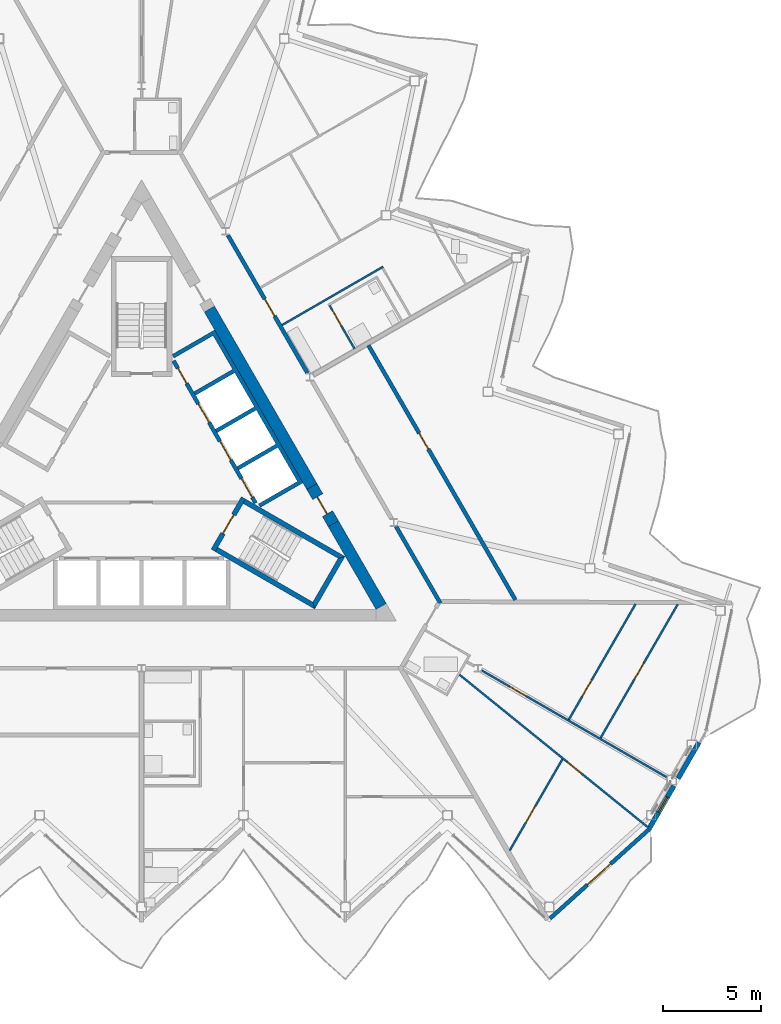
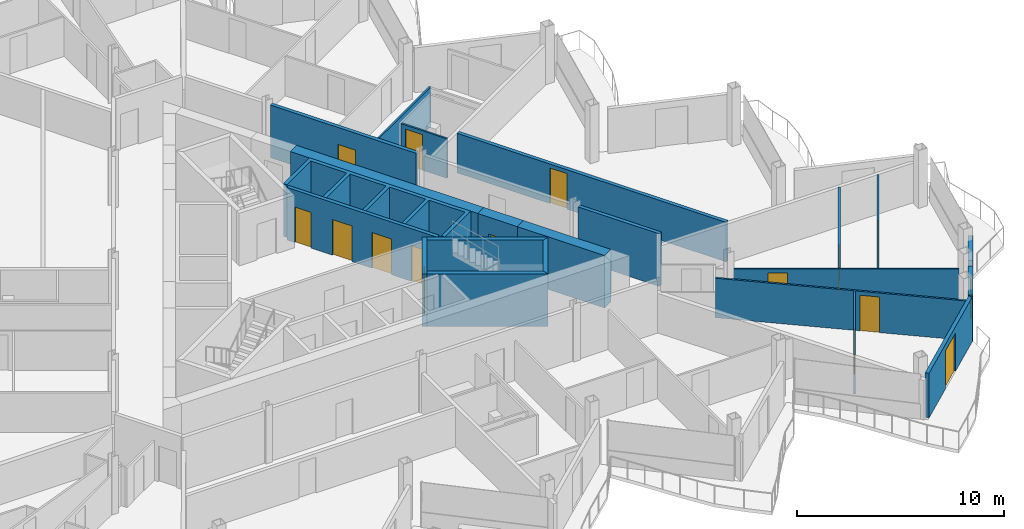
# One storey, part 15 of 26: 22 walls, 15 doors, 1 window, 16 openings.
"""IFC4 building model written with IfcOpenShell, lengths in metres."""

from ifc_helpers import new_model, si_unit, direction, frame, frame_2d, origin, place, context, subcontext, project, spatial, polyline, rectangle, outline, extrude, material, layer, layer_set, type_object, element, fill, save


model = new_model("IFC4")

# Units and contexts
model_context = context("Model", 3, precision=1e-05, world=origin(), true_north=direction((0.0, 1.0)))
body_context = subcontext(model_context, "Body", "Model", "MODEL_VIEW")
ifc_project = project(units=[si_unit("LENGTHUNIT", "METRE"), si_unit("AREAUNIT", "SQUARE_METRE"), si_unit("VOLUMEUNIT", "CUBIC_METRE"), si_unit("PLANEANGLEUNIT", "RADIAN"), si_unit("MASSUNIT", "GRAM", prefix="KILO")], contexts=[model_context])

# Site, building, storey
site_placement = place(None, origin())
site = spatial("IfcSite", under=ifc_project, at=site_placement, CompositionType="ELEMENT")
building_placement = place(site_placement, origin())
building = spatial("IfcBuilding", under=site, at=building_placement, Name="Cormorant Prow Tower", CompositionType="ELEMENT")
storey_placement = place(building_placement, frame((0.0, 0.0, 364.39990234375)))
storey = spatial("IfcBuildingStorey", under=building, at=storey_placement, Name="L81", CompositionType="ELEMENT", Elevation=364.39990234375)

# Walls
ifc_material_1 = material(Name="Concrete 8000 psi", Category="concrete")
ifc_layer_1 = layer(ifc_material_1, 0.60009765625)
ifc_layer_set_1 = layer_set([ifc_layer_1], Name="Concrete 8000 psi")
wall_type_1 = type_object("IfcWallType", Name="Core shear wall 600", PredefinedType="SHEAR", material=ifc_layer_set_1)
wall_1_placement = place(storey_placement, frame((8.686279296875, -0.6337890625, 0.0), z_axis=(0.0, 0.0, 1.0), x_axis=(-0.50001836461, 0.866014800712, 0.0)))
element("IfcWall", 1, at=wall_1_placement, inside=storey, type_object=wall_type_1, Name="Core wall", PredefinedType="SHEAR", context=body_context, shape_type="SweptSolid", body=[
    extrude(rectangle(XDim=10.45068359375, YDim=0.60009765625, at=frame_2d((5.225341796875, 0.0))), origin(), (0.0, 0.0, 1.0), 3.10009765625),
])
wall_2_placement = place(storey_placement, frame((12.220703125, -6.755615234375, 0.0), z_axis=(0.0, 0.0, 1.0), x_axis=(-0.50000604952, 0.866021911064, 0.0)))
element("IfcWall", 2, at=wall_2_placement, inside=storey, type_object=wall_type_1, Name="Core wall", PredefinedType="SHEAR", context=body_context, shape_type="SweptSolid", body=[
    extrude(rectangle(XDim=4.86865234375, YDim=0.60009765625, at=frame_2d((2.434326171875, 0.0))), origin(), (0.0, 0.0, 1.0), 3.10009765625),
])

# Wall, opening, door
wall_3_placement = place(storey_placement, frame((9.786376953125, -2.539306640625, 0.0), z_axis=(0.0, 0.0, 1.0), x_axis=(-0.499981787252, 0.866035918664, 0.0)))
wall_3 = element("IfcWall", 3, at=wall_3_placement, inside=storey, type_object=wall_type_1, Name="Core wall door panel", PredefinedType="SHEAR", context=body_context, shape_type="SweptSolid", body=[
    extrude(rectangle(XDim=2.2001953125, YDim=0.60009765625, at=frame_2d((1.10009765625, 0.0))), origin(), (0.0, 0.0, 1.0), 3.10009765625),
])
opening_1_placement = place(wall_3_placement, frame((0.60009765625, 0.0, 0.0)))
opening_1 = element("IfcOpeningElement", 4, at=opening_1_placement, cuts=wall_3, Name="Opening L81-C16", PredefinedType="OPENING", context=body_context, shape_type="SweptSolid", body=[
    extrude(rectangle(XDim=1.0, YDim=2.10009765625, at=frame_2d((0.5, 1.050048828125))), frame((0.0, 0.31005859375, 0.0), z_axis=(0.0, -1.0, 0.0), x_axis=(1.0, 0.0, 0.0)), (0.0, 0.0, 1.0), 0.6201171875),
])
ifc_material_2 = material(Name="Painted steel", Category="steel")
door_type_1 = type_object("IfcDoorType", Name="Service door 1000x2100", OperationType="NOTDEFINED", PredefinedType="DOOR", material=ifc_material_2)
door_1_placement = place(opening_1_placement, origin())
door_1 = element("IfcDoor", 5, at=door_1_placement, inside=storey, type_object=door_type_1, Name="Core door, Telecom room", OperationType="SINGLE_SWING_LEFT", OverallHeight=2.10009765625, OverallWidth=1.0, PredefinedType="DOOR", context=body_context, shape_type="SweptSolid", body=[
    extrude(rectangle(XDim=1.0, YDim=2.10009765625, at=frame_2d((0.5, 1.050048828125))), frame((0.0, 0.05517578125, 0.0), z_axis=(0.0, -1.0, 0.0), x_axis=(1.0, 0.0, 0.0)), (0.0, 0.0, 1.0), 0.050048828125),
])
fill(opening_1, door_1)

ifc_material_3 = material(Name="Gypsum board corridor wall")
ifc_layer_2 = layer(ifc_material_3, 0.199951171875)
ifc_layer_set_2 = layer_set([ifc_layer_2], Name="Gypsum board corridor wall")
wall_type_2 = type_object("IfcWallType", Name="Corridor wall 200", PredefinedType="PARTITIONING", material=ifc_layer_set_2)
wall_4_placement = place(storey_placement, frame((4.403076171875, 12.184814453125, 0.0), z_axis=(0.0, 0.0, 1.0), x_axis=(0.499992155518, -0.866029932751, 0.0)))
wall_4 = element("IfcWall", 6, at=wall_4_placement, inside=storey, type_object=wall_type_2, Name="Corridor wall", PredefinedType="PARTITIONING", context=body_context, shape_type="SweptSolid", body=[
    extrude(rectangle(XDim=8.123291015625, YDim=0.199951171875, at=frame_2d((4.0615234375, 0.0))), origin(), (0.0, 0.0, 1.0), 3.10009765625),
])
opening_2_placement = place(wall_4_placement, frame((3.762451171875, 0.0, 0.0)))
opening_2 = element("IfcOpeningElement", 7, at=opening_2_placement, cuts=wall_4, Name="Opening L81-F20", PredefinedType="OPENING", context=body_context, shape_type="SweptSolid", body=[
    extrude(rectangle(XDim=1.0, YDim=2.10009765625, at=frame_2d((0.5, 1.050048828125))), frame((0.0, 0.10986328125, 0.0), z_axis=(0.0, -1.0, 0.0), x_axis=(1.0, 0.0, 0.0)), (0.0, 0.0, 1.0), 0.219970703125),
])
ifc_material_4 = material(Name="Timber door leaf", Category="wood")
door_type_2 = type_object("IfcDoorType", Name="Flat or room entrance door 1000x2100", OperationType="NOTDEFINED", PredefinedType="DOOR", material=ifc_material_4)
door_2_placement = place(opening_2_placement, origin())
door_2 = element("IfcDoor", 8, at=door_2_placement, inside=storey, type_object=door_type_2, Name="Living room door", OperationType="SINGLE_SWING_LEFT", OverallHeight=2.10009765625, OverallWidth=1.0, PredefinedType="DOOR", context=body_context, shape_type="SweptSolid", body=[
    extrude(rectangle(XDim=1.0, YDim=2.10009765625, at=frame_2d((0.5, 1.050048828125))), frame((0.0, 0.02490234375, 0.0), z_axis=(0.0, -1.0, 0.0), x_axis=(1.0, 0.0, 0.0)), (0.0, 0.0, 1.0), 0.050048828125),
])
fill(opening_2, door_2)

# Wall
wall_5_placement = place(storey_placement, frame((12.9814453125, -2.67333984375, 0.0), z_axis=(0.0, 0.0, 1.0), x_axis=(0.499974648164, -0.866040040179, 0.0)))
element("IfcWall", 9, at=wall_5_placement, inside=storey, type_object=wall_type_2, Name="Corridor wall", PredefinedType="PARTITIONING", context=body_context, shape_type="SweptSolid", body=[
    extrude(rectangle(XDim=4.525146484375, YDim=0.199951171875, at=frame_2d((2.2626953125, 0.0))), origin(), (0.0, 0.0, 1.0), 3.10009765625),
])

# Wall, opening, door
ifc_material_5 = material(Name="Gypsum board demising wall")
ifc_layer_3 = layer(ifc_material_5, 0.199951171875)
ifc_layer_set_3 = layer_set([ifc_layer_3], Name="Gypsum board demising wall")
wall_type_3 = type_object("IfcWallType", Name="Demising wall 200", PredefinedType="PARTITIONING", material=ifc_layer_set_3)
wall_6_placement = place(storey_placement, frame((11.572998046875, 6.566162109375, 0.0), z_axis=(0.0, 0.0, 1.0), x_axis=(0.499993542657, -0.866029131901, 0.0)))
wall_6 = element("IfcWall", 10, at=wall_6_placement, inside=storey, type_object=wall_type_3, Name="Demising wall", PredefinedType="PARTITIONING", context=body_context, shape_type="SweptSolid", body=[
    extrude(rectangle(XDim=14.993896484375, YDim=0.199951171875, at=frame_2d((7.4970703125, 0.0))), origin(), (0.0, 0.0, 1.0), 2.330078125),
])
opening_3_placement = place(wall_6_placement, frame((5.166015625, 0.0, 0.0)))
opening_3 = element("IfcOpeningElement", 11, at=opening_3_placement, cuts=wall_6, Name="Opening L81-F19", PredefinedType="OPENING", context=body_context, shape_type="SweptSolid", body=[
    extrude(rectangle(XDim=0.949951171875, YDim=2.10009765625, at=frame_2d((0.47509765625, 1.050048828125))), frame((0.0, 0.10986328125, 0.0), z_axis=(0.0, -1.0, 0.0), x_axis=(1.0, 0.0, 0.0)), (0.0, 0.0, 1.0), 0.219970703125),
])
ifc_material_6 = material(Name="Timber door leaf", Category="wood")
door_type_3 = type_object("IfcDoorType", Name="Store door 950x2100", OperationType="NOTDEFINED", PredefinedType="DOOR", material=ifc_material_6)
door_3_placement = place(opening_3_placement, origin())
door_3 = element("IfcDoor", 12, at=door_3_placement, inside=storey, type_object=door_type_3, Name="Refuse room door", OperationType="SINGLE_SWING_RIGHT", OverallHeight=2.10009765625, OverallWidth=0.949951171875, PredefinedType="DOOR", context=body_context, shape_type="SweptSolid", body=[
    extrude(rectangle(XDim=0.949951171875, YDim=2.10009765625, at=frame_2d((0.47509765625, 1.050048828125))), frame((0.0, 0.02490234375, 0.0), z_axis=(0.0, -1.0, 0.0), x_axis=(1.0, 0.0, 0.0)), (0.0, 0.0, 1.0), 0.050048828125),
])
fill(opening_3, door_3)

ifc_material_7 = material(Name="Gypsum board partition")
ifc_layer_4 = layer(ifc_material_7, 0.10009765625)
ifc_layer_set_4 = layer_set([ifc_layer_4], Name="Gypsum board partition")
wall_type_4 = type_object("IfcWallType", Name="Internal partition 100", PredefinedType="PARTITIONING", material=ifc_layer_set_4)
wall_7_placement = place(storey_placement, frame((16.2158203125, -10.234130859375, 0.0), z_axis=(0.0, 0.0, 1.0), x_axis=(0.777145059662, -0.629321504672, 0.0)))
wall_7 = element("IfcWall", 13, at=wall_7_placement, inside=storey, type_object=wall_type_4, Name="Internal partition", PredefinedType="PARTITIONING", context=body_context, shape_type="SweptSolid", body=[
    extrude(rectangle(XDim=12.58984375, YDim=0.10009765625, at=frame_2d((6.294921875, 0.0))), origin(), (0.0, 0.0, 1.0), 2.330078125),
])
opening_4_placement = place(wall_7_placement, frame((7.074462890625, 0.0, 0.0)))
opening_4 = element("IfcOpeningElement", 14, at=opening_4_placement, cuts=wall_7, Name="Opening L81-F16", PredefinedType="OPENING", context=body_context, shape_type="SweptSolid", body=[
    extrude(rectangle(XDim=0.949951171875, YDim=2.10009765625, at=frame_2d((0.47509765625, 1.050048828125))), frame((0.0, 0.06005859375, 0.0), z_axis=(0.0, -1.0, 0.0), x_axis=(1.0, 0.0, 0.0)), (0.0, 0.0, 1.0), 0.1201171875),
])
ifc_material_8 = material(Name="Timber door leaf", Category="wood")
door_type_4 = type_object("IfcDoorType", Name="Bathroom door 950x2100", OperationType="NOTDEFINED", PredefinedType="DOOR", material=ifc_material_8)
door_4_placement = place(opening_4_placement, origin())
door_4 = element("IfcDoor", 15, at=door_4_placement, inside=storey, type_object=door_type_4, Name="Bedroom door", OperationType="SINGLE_SWING_LEFT", OverallHeight=2.10009765625, OverallWidth=0.949951171875, PredefinedType="DOOR", context=body_context, shape_type="SweptSolid", body=[
    extrude(rectangle(XDim=0.949951171875, YDim=2.10009765625, at=frame_2d((0.47509765625, 1.050048828125))), frame((0.0, 0.02490234375, 0.0), z_axis=(0.0, -1.0, 0.0), x_axis=(1.0, 0.0, 0.0)), (0.0, 0.0, 1.0), 0.050048828125),
])
fill(opening_4, door_4)

wall_8_placement = place(storey_placement, frame((17.35400390625, -10.019287109375, 0.0), z_axis=(0.0, 0.0, 1.0), x_axis=(0.866019680922, -0.500009912158, 0.0)))
wall_8 = element("IfcWall", 16, at=wall_8_placement, inside=storey, type_object=wall_type_4, Name="Internal partition", PredefinedType="PARTITIONING", context=body_context, shape_type="SweptSolid", body=[
    extrude(rectangle(XDim=10.880615234375, YDim=0.10009765625, at=frame_2d((5.4404296875, 0.0))), origin(), (0.0, 0.0, 1.0), 2.330078125),
])
opening_5_placement = place(wall_8_placement, frame((1.654541015625, 0.0, 0.0)))
opening_5 = element("IfcOpeningElement", 17, at=opening_5_placement, cuts=wall_8, Name="Opening L81-F15", PredefinedType="OPENING", context=body_context, shape_type="SweptSolid", body=[
    extrude(rectangle(XDim=0.949951171875, YDim=2.10009765625, at=frame_2d((0.47509765625, 1.050048828125))), frame((0.0, 0.06005859375, 0.0), z_axis=(0.0, -1.0, 0.0), x_axis=(1.0, 0.0, 0.0)), (0.0, 0.0, 1.0), 0.1201171875),
])
door_5_placement = place(opening_5_placement, origin())
door_5 = element("IfcDoor", 18, at=door_5_placement, inside=storey, type_object=door_type_4, Name="Living room door", OperationType="SINGLE_SWING_LEFT", OverallHeight=2.10009765625, OverallWidth=0.949951171875, PredefinedType="DOOR", context=body_context, shape_type="SweptSolid", body=[
    extrude(rectangle(XDim=0.949951171875, YDim=2.10009765625, at=frame_2d((0.47509765625, 1.050048828125))), frame((0.0, 0.02490234375, 0.0), z_axis=(0.0, -1.0, 0.0), x_axis=(1.0, 0.0, 0.0)), (0.0, 0.0, 1.0), 0.050048828125),
])
fill(opening_5, door_5)

wall_9_placement = place(storey_placement, frame((23.4150390625, -13.4609375, 0.0), z_axis=(0.0, 0.0, 1.0), x_axis=(0.500011483804, 0.866018773506, 0.0)))
wall_9 = element("IfcWall", 19, at=wall_9_placement, inside=storey, type_object=wall_type_4, Name="Internal partition", PredefinedType="PARTITIONING", context=body_context, shape_type="SweptSolid", body=[
    extrude(rectangle(XDim=7.872314453125, YDim=0.10009765625, at=frame_2d((3.93603515625, 0.0))), origin(), (0.0, 0.0, 1.0), 2.330078125),
])
opening_6_placement = place(wall_9_placement, frame((3.461181640625, 0.0, 0.0)))
opening_6 = element("IfcOpeningElement", 20, at=opening_6_placement, cuts=wall_9, Name="Opening L81-F14", PredefinedType="OPENING", context=body_context, shape_type="SweptSolid", body=[
    extrude(rectangle(XDim=0.949951171875, YDim=2.10009765625, at=frame_2d((0.47509765625, 1.050048828125))), frame((0.0, 0.06005859375, 0.0), z_axis=(0.0, -1.0, 0.0), x_axis=(1.0, 0.0, 0.0)), (0.0, 0.0, 1.0), 0.1201171875),
])
door_6_placement = place(opening_6_placement, origin())
door_6 = element("IfcDoor", 21, at=door_6_placement, inside=storey, type_object=door_type_4, Name="Kitchen door", OperationType="SINGLE_SWING_LEFT", OverallHeight=2.10009765625, OverallWidth=0.949951171875, PredefinedType="DOOR", context=body_context, shape_type="SweptSolid", body=[
    extrude(rectangle(XDim=0.949951171875, YDim=2.10009765625, at=frame_2d((0.47509765625, 1.050048828125))), frame((0.0, 0.02490234375, 0.0), z_axis=(0.0, -1.0, 0.0), x_axis=(1.0, 0.0, 0.0)), (0.0, 0.0, 1.0), 0.050048828125),
])
fill(opening_6, door_6)

wall_10_placement = place(storey_placement, frame((21.7958984375, -12.526123046875, 0.0), z_axis=(0.0, 0.0, 1.0), x_axis=(0.499994777381, 0.866028419044, 0.0)))
wall_10 = element("IfcWall", 22, at=wall_10_placement, inside=storey, type_object=wall_type_4, Name="Internal partition", PredefinedType="PARTITIONING", context=body_context, shape_type="SweptSolid", body=[
    extrude(rectangle(XDim=6.80322265625, YDim=0.10009765625, at=frame_2d((3.401611328125, 0.0))), origin(), (0.0, 0.0, 1.0), 2.330078125),
])
opening_7_placement = place(wall_10_placement, frame((1.361083984375, 0.0, 0.0)))
opening_7 = element("IfcOpeningElement", 23, at=opening_7_placement, cuts=wall_10, Name="Opening L81-F13", PredefinedType="OPENING", context=body_context, shape_type="SweptSolid", body=[
    extrude(rectangle(XDim=0.949951171875, YDim=2.10009765625, at=frame_2d((0.47509765625, 1.050048828125))), frame((0.0, 0.06005859375, 0.0), z_axis=(0.0, -1.0, 0.0), x_axis=(1.0, 0.0, 0.0)), (0.0, 0.0, 1.0), 0.1201171875),
])
door_7_placement = place(opening_7_placement, origin())
door_7 = element("IfcDoor", 24, at=door_7_placement, inside=storey, type_object=door_type_4, Name="Living room door", OperationType="SINGLE_SWING_RIGHT", OverallHeight=2.10009765625, OverallWidth=0.949951171875, PredefinedType="DOOR", context=body_context, shape_type="SweptSolid", body=[
    extrude(rectangle(XDim=0.949951171875, YDim=2.10009765625, at=frame_2d((0.47509765625, 1.050048828125))), frame((0.0, 0.02490234375, 0.0), z_axis=(0.0, -1.0, 0.0), x_axis=(1.0, 0.0, 0.0)), (0.0, 0.0, 1.0), 0.050048828125),
])
fill(opening_7, door_7)

# Wall
wall_11_placement = place(storey_placement, frame((7.1650390625, 7.600830078125, 0.0), z_axis=(0.0, 0.0, 1.0), x_axis=(0.866017493347, 0.500013701029, 0.0)))
element("IfcWall", 25, at=wall_11_placement, inside=storey, type_object=wall_type_4, Name="Internal partition", PredefinedType="PARTITIONING", context=body_context, shape_type="SweptSolid", body=[
    extrude(rectangle(XDim=5.949951171875, YDim=0.10009765625, at=frame_2d((2.97509765625, 0.0))), origin(), (0.0, 0.0, 1.0), 2.330078125),
])

# Wall, opening, door
wall_12_placement = place(storey_placement, frame((18.7783203125, -19.2060546875, 0.0), z_axis=(0.0, 0.0, 1.0), x_axis=(0.499992359988, 0.866029814703, 0.0)))
wall_12 = element("IfcWall", 26, at=wall_12_placement, inside=storey, type_object=wall_type_4, Name="Internal partition", PredefinedType="PARTITIONING", context=body_context, shape_type="SweptSolid", body=[
    extrude(rectangle(XDim=5.37646484375, YDim=0.10009765625, at=frame_2d((2.688232421875, 0.0))), origin(), (0.0, 0.0, 1.0), 2.330078125),
])
opening_8_placement = place(wall_12_placement, frame((1.659423828125, 0.0, 0.0)))
opening_8 = element("IfcOpeningElement", 27, at=opening_8_placement, cuts=wall_12, Name="Opening L81-F17", PredefinedType="OPENING", context=body_context, shape_type="SweptSolid", body=[
    extrude(rectangle(XDim=0.949951171875, YDim=2.10009765625, at=frame_2d((0.47509765625, 1.050048828125))), frame((0.0, 0.06005859375, 0.0), z_axis=(0.0, -1.0, 0.0), x_axis=(1.0, 0.0, 0.0)), (0.0, 0.0, 1.0), 0.1201171875),
])
door_8_placement = place(opening_8_placement, origin())
door_8 = element("IfcDoor", 28, at=door_8_placement, inside=storey, type_object=door_type_4, Name="Bedroom door", OperationType="SINGLE_SWING_LEFT", OverallHeight=2.10009765625, OverallWidth=0.949951171875, PredefinedType="DOOR", context=body_context, shape_type="SweptSolid", body=[
    extrude(rectangle(XDim=0.949951171875, YDim=2.10009765625, at=frame_2d((0.47509765625, 1.050048828125))), frame((0.0, 0.02490234375, 0.0), z_axis=(0.0, -1.0, 0.0), x_axis=(1.0, 0.0, 0.0)), (0.0, 0.0, 1.0), 0.050048828125),
])
fill(opening_8, door_8)

wall_13_placement = place(storey_placement, frame((9.591796875, 8.59765625, 0.0), z_axis=(0.0, 0.0, 1.0), x_axis=(0.499990435942, -0.866030925526, 0.0)))
wall_13 = element("IfcWall", 29, at=wall_13_placement, inside=storey, type_object=wall_type_4, Name="Internal partition", PredefinedType="PARTITIONING", context=body_context, shape_type="SweptSolid", body=[
    extrude(rectangle(XDim=2.5498046875, YDim=0.10009765625, at=frame_2d((1.27490234375, 0.0))), origin(), (0.0, 0.0, 1.0), 2.330078125),
])
opening_9_placement = place(wall_13_placement, frame((0.25, 0.0, 0.0)))
opening_9 = element("IfcOpeningElement", 30, at=opening_9_placement, cuts=wall_13, Name="Opening L81-F27", PredefinedType="OPENING", context=body_context, shape_type="SweptSolid", body=[
    extrude(rectangle(XDim=0.949951171875, YDim=2.10009765625, at=frame_2d((0.47509765625, 1.050048828125))), frame((0.0, 0.06005859375, 0.0), z_axis=(0.0, -1.0, 0.0), x_axis=(1.0, 0.0, 0.0)), (0.0, 0.0, 1.0), 0.1201171875),
])
door_9_placement = place(opening_9_placement, origin())
door_9 = element("IfcDoor", 31, at=door_9_placement, inside=storey, type_object=door_type_4, Name="Kitchen door", OperationType="SINGLE_SWING_LEFT", OverallHeight=2.10009765625, OverallWidth=0.949951171875, PredefinedType="DOOR", context=body_context, shape_type="SweptSolid", body=[
    extrude(rectangle(XDim=0.949951171875, YDim=2.10009765625, at=frame_2d((0.47509765625, 1.050048828125))), frame((0.0, 0.02490234375, 0.0), z_axis=(0.0, -1.0, 0.0), x_axis=(1.0, 0.0, 0.0)), (0.0, 0.0, 1.0), 0.050048828125),
])
fill(opening_9, door_9)

# Wall, openings, doors
ifc_material_9 = material(Name="Concrete 5000 psi", Category="concrete")
ifc_layer_5 = layer(ifc_material_9, 0.199951171875)
ifc_layer_set_5 = layer_set([ifc_layer_5], Name="Concrete 5000 psi")
wall_type_5 = type_object("IfcWallType", Name="Lift lobby wall 200", PredefinedType="SOLIDWALL", material=ifc_layer_set_5)
wall_14_placement = place(storey_placement, frame((5.817138671875, -1.4755859375, 0.0), z_axis=(0.0, 0.0, 1.0), x_axis=(-0.500002616675, 0.866023893041, 0.0)))
wall_14 = element("IfcWall", 32, at=wall_14_placement, inside=storey, type_object=wall_type_5, Name="Lift lobby wall, ENE block", PredefinedType="SOLIDWALL", context=body_context, shape_type="SweptSolid", body=[
    extrude(rectangle(XDim=8.373046875, YDim=0.199951171875, at=frame_2d((4.1865234375, 0.0))), origin(), (0.0, 0.0, 1.0), 3.10009765625),
])
opening_10_placement = place(wall_14_placement, frame((0.336669921875, 0.0, 0.0)))
opening_10 = element("IfcOpeningElement", 33, at=opening_10_placement, cuts=wall_14, Name="Opening L81-C05", PredefinedType="OPENING", context=body_context, shape_type="SweptSolid", body=[
    extrude(rectangle(XDim=1.10009765625, YDim=2.10009765625, at=frame_2d((0.550048828125, 1.050048828125))), frame((0.0, 0.10986328125, 0.0), z_axis=(0.0, -1.0, 0.0), x_axis=(1.0, 0.0, 0.0)), (0.0, 0.0, 1.0), 0.219970703125),
])
opening_11_placement = place(wall_14_placement, frame((2.53662109375, 0.0, 0.0)))
opening_11 = element("IfcOpeningElement", 34, at=opening_11_placement, cuts=wall_14, Name="Opening L81-C06", PredefinedType="OPENING", context=body_context, shape_type="SweptSolid", body=[
    extrude(rectangle(XDim=1.10009765625, YDim=2.10009765625, at=frame_2d((0.550048828125, 1.050048828125))), frame((0.0, 0.10986328125, 0.0), z_axis=(0.0, -1.0, 0.0), x_axis=(1.0, 0.0, 0.0)), (0.0, 0.0, 1.0), 0.219970703125),
])
opening_12_placement = place(wall_14_placement, frame((4.736572265625, 0.0, 0.0)))
opening_12 = element("IfcOpeningElement", 35, at=opening_12_placement, cuts=wall_14, Name="Opening L81-C07", PredefinedType="OPENING", context=body_context, shape_type="SweptSolid", body=[
    extrude(rectangle(XDim=1.10009765625, YDim=2.10009765625, at=frame_2d((0.550048828125, 1.050048828125))), frame((0.0, 0.10986328125, 0.0), z_axis=(0.0, -1.0, 0.0), x_axis=(1.0, 0.0, 0.0)), (0.0, 0.0, 1.0), 0.219970703125),
])
opening_13_placement = place(wall_14_placement, frame((7.03662109375, 0.0, 0.0)))
opening_13 = element("IfcOpeningElement", 36, at=opening_13_placement, cuts=wall_14, Name="Opening L81-C08", PredefinedType="OPENING", context=body_context, shape_type="SweptSolid", body=[
    extrude(rectangle(XDim=0.89990234375, YDim=2.10009765625, at=frame_2d((0.449951171875, 1.050048828125))), frame((0.0, 0.10986328125, 0.0), z_axis=(0.0, -1.0, 0.0), x_axis=(1.0, 0.0, 0.0)), (0.0, 0.0, 1.0), 0.219970703125),
])
ifc_material_10 = material(Name="Painted steel", Category="steel")
door_type_5 = type_object("IfcDoorType", Name="Lift landing door 1100x2100", OperationType="SLIDING_TO_LEFT", PredefinedType="DOOR", material=ifc_material_10)
door_10_placement = place(opening_10_placement, origin())
door_10 = element("IfcDoor", 37, at=door_10_placement, inside=storey, type_object=door_type_5, Name="Landing door HR2", OperationType="SLIDING_TO_LEFT", OverallHeight=2.10009765625, OverallWidth=1.10009765625, PredefinedType="DOOR", context=body_context, shape_type="SweptSolid", body=[
    extrude(rectangle(XDim=1.10009765625, YDim=2.10009765625, at=frame_2d((0.550048828125, 1.050048828125))), frame((0.0, 0.02490234375, 0.0), z_axis=(0.0, -1.0, 0.0), x_axis=(1.0, 0.0, 0.0)), (0.0, 0.0, 1.0), 0.050048828125),
])
fill(opening_10, door_10)
door_11_placement = place(opening_11_placement, origin())
door_11 = element("IfcDoor", 38, at=door_11_placement, inside=storey, type_object=door_type_5, Name="Landing door HR3", OperationType="SLIDING_TO_LEFT", OverallHeight=2.10009765625, OverallWidth=1.10009765625, PredefinedType="DOOR", context=body_context, shape_type="SweptSolid", body=[
    extrude(rectangle(XDim=1.10009765625, YDim=2.10009765625, at=frame_2d((0.550048828125, 1.050048828125))), frame((0.0, 0.02490234375, 0.0), z_axis=(0.0, -1.0, 0.0), x_axis=(1.0, 0.0, 0.0)), (0.0, 0.0, 1.0), 0.050048828125),
])
fill(opening_11, door_11)
door_12_placement = place(opening_12_placement, origin())
door_12 = element("IfcDoor", 39, at=door_12_placement, inside=storey, type_object=door_type_5, Name="Landing door HR4", OperationType="SLIDING_TO_LEFT", OverallHeight=2.10009765625, OverallWidth=1.10009765625, PredefinedType="DOOR", context=body_context, shape_type="SweptSolid", body=[
    extrude(rectangle(XDim=1.10009765625, YDim=2.10009765625, at=frame_2d((0.550048828125, 1.050048828125))), frame((0.0, 0.02490234375, 0.0), z_axis=(0.0, -1.0, 0.0), x_axis=(1.0, 0.0, 0.0)), (0.0, 0.0, 1.0), 0.050048828125),
])
fill(opening_12, door_12)
ifc_material_11 = material(Name="Painted steel", Category="steel")
door_type_6 = type_object("IfcDoorType", Name="Service door 900x2100", OperationType="NOTDEFINED", PredefinedType="DOOR", material=ifc_material_11)
door_13_placement = place(opening_13_placement, origin())
door_13 = element("IfcDoor", 40, at=door_13_placement, inside=storey, type_object=door_type_6, Name="Service door, Telecom room", OperationType="SINGLE_SWING_RIGHT", OverallHeight=2.10009765625, OverallWidth=0.89990234375, PredefinedType="DOOR", context=body_context, shape_type="SweptSolid", body=[
    extrude(rectangle(XDim=0.89990234375, YDim=2.10009765625, at=frame_2d((0.449951171875, 1.050048828125))), frame((0.0, 0.02490234375, 0.0), z_axis=(0.0, -1.0, 0.0), x_axis=(1.0, 0.0, 0.0)), (0.0, 0.0, 1.0), 0.050048828125),
])
fill(opening_13, door_13)

# Walls
ifc_material_12 = material(Name="Concrete 8000 psi", Category="concrete")
ifc_layer_6 = layer(ifc_material_12, 0.199951171875)
ifc_layer_set_6 = layer_set([ifc_layer_6], Name="Concrete 8000 psi")
wall_type_6 = type_object("IfcWallType", Name="Lift shaft wall 200", PredefinedType="SHEAR", material=ifc_layer_set_6)
wall_15_placement = place(storey_placement, origin())
element("IfcWall", 41, at=wall_15_placement, inside=storey, type_object=wall_type_6, Name="Lift shaft walls, ENE block", PredefinedType="SHEAR", context=body_context, shape_type="SweptSolid", body=[
    extrude(outline(polyline([(1.560546875, 6.09716796875), (3.730712890625, 7.35009765625), (8.230712890625, -0.444091796875), (6.060546875, -1.697021484375), (5.96044921875, -1.52392578125), (7.952392578125, -0.373779296875), (6.952392578125, 1.358154296875), (4.96044921875, 0.2080078125), (4.860595703125, 0.38134765625), (6.852294921875, 1.53125), (5.852294921875, 3.263427734375), (3.860595703125, 2.11328125), (3.760498046875, 2.28662109375), (5.75244140625, 3.4365234375), (4.75244140625, 5.168701171875), (2.760498046875, 4.018798828125), (2.660400390625, 4.19189453125), (4.65234375, 5.341796875), (3.65234375, 7.073974609375), (1.660400390625, 5.923828125), (1.560546875, 6.09716796875)])), origin(), (0.0, 0.0, 1.0), 3.10009765625),
])
ifc_material_13 = material(Name="Concrete 8000 psi", Category="concrete")
ifc_layer_7 = layer(ifc_material_13, 0.25)
ifc_layer_set_7 = layer_set([ifc_layer_7], Name="Concrete 8000 psi")
wall_type_7 = type_object("IfcWallType", Name="Stair wall 250", PredefinedType="SHEAR", material=ifc_layer_set_7)
wall_16_placement = place(storey_placement, origin())
element("IfcWall", 42, at=wall_16_placement, inside=storey, type_object=wall_type_7, Name="Stair ST2 enclosure wall (flank)", PredefinedType="SHEAR", context=body_context, shape_type="SweptSolid", body=[
    extrude(outline(polyline([(3.76318359375, -3.95556640625), (8.82958984375, -6.880615234375), (8.738037109375, -6.5390625), (3.88818359375, -3.739013671875), (3.76318359375, -3.95556640625)])), origin(), (0.0, 0.0, 1.0), 3.10009765625),
])
wall_17_placement = place(storey_placement, origin())
element("IfcWall", 43, at=wall_17_placement, inside=storey, type_object=wall_type_7, Name="Stair ST2 enclosure wall (end)", PredefinedType="SHEAR", context=body_context, shape_type="SweptSolid", body=[
    extrude(outline(polyline([(8.82958984375, -6.880615234375), (10.37353515625, -4.206298828125), (10.031982421875, -4.2978515625), (8.738037109375, -6.5390625), (8.82958984375, -6.880615234375)])), origin(), (0.0, 0.0, 1.0), 3.10009765625),
])
wall_18_placement = place(storey_placement, origin())
element("IfcWall", 44, at=wall_18_placement, inside=storey, type_object=wall_type_7, Name="Stair ST2 enclosure wall (flank)", PredefinedType="SHEAR", context=body_context, shape_type="SweptSolid", body=[
    extrude(outline(polyline([(10.031982421875, -4.2978515625), (10.37353515625, -4.206298828125), (5.30712890625, -1.28125), (5.18212890625, -1.497802734375), (10.031982421875, -4.2978515625)])), origin(), (0.0, 0.0, 1.0), 3.10009765625),
])

# Wall, opening, door
wall_19_placement = place(storey_placement, frame((3.655029296875, -3.89306640625, 0.0), z_axis=(0.0, 0.0, 1.0), x_axis=(0.499982516597, 0.866035497597, 0.0)))
wall_19 = element("IfcWall", 45, at=wall_19_placement, inside=storey, type_object=wall_type_7, Name="Stair ST2 door wall", PredefinedType="SHEAR", context=body_context, shape_type="SweptSolid", body=[
    extrude(rectangle(XDim=3.087890625, YDim=0.25, at=frame_2d((1.5439453125, 0.0))), origin(), (0.0, 0.0, 1.0), 3.10009765625),
])
opening_14_placement = place(wall_19_placement, frame((0.993896484375, 0.0, 0.0)))
opening_14 = element("IfcOpeningElement", 46, at=opening_14_placement, cuts=wall_19, Name="Opening L81-C13", PredefinedType="OPENING", context=body_context, shape_type="SweptSolid", body=[
    extrude(rectangle(XDim=1.10009765625, YDim=2.10009765625, at=frame_2d((0.550048828125, 1.050048828125))), frame((0.0, 0.135009765625, 0.0), z_axis=(0.0, -1.0, 0.0), x_axis=(1.0, 0.0, 0.0)), (0.0, 0.0, 1.0), 0.27001953125),
])
ifc_material_14 = material(Name="Painted steel", Category="steel")
door_type_7 = type_object("IfcDoorType", Name="Stair door 1100x2100", OperationType="NOTDEFINED", PredefinedType="DOOR", material=ifc_material_14)
door_14_placement = place(opening_14_placement, origin())
door_14 = element("IfcDoor", 47, at=door_14_placement, inside=storey, type_object=door_type_7, Name="Stair ST2 door", OperationType="SINGLE_SWING_RIGHT", OverallHeight=2.10009765625, OverallWidth=1.10009765625, PredefinedType="DOOR", context=body_context, shape_type="SweptSolid", body=[
    extrude(rectangle(XDim=1.10009765625, YDim=2.10009765625, at=frame_2d((0.550048828125, 1.050048828125))), frame((0.0, 0.02490234375, 0.0), z_axis=(0.0, -1.0, 0.0), x_axis=(1.0, 0.0, 0.0)), (0.0, 0.0, 1.0), 0.050048828125),
])
fill(opening_14, door_14)

# Wall, opening, window
ifc_material_15 = material(Name="Terracotta", Category="masonry")
ifc_layer_8 = layer(ifc_material_15, 0.25)
ifc_layer_set_8 = layer_set([ifc_layer_8], Name="Terracotta")
wall_type_8 = type_object("IfcWallType", Name="Terracotta bay wall 250", PredefinedType="SOLIDWALL", material=ifc_layer_set_8)
wall_20_placement = place(storey_placement, frame((25.934814453125, -18.02001953125, 0.0), z_axis=(0.0, 0.0, 1.0), x_axis=(0.500028873844, 0.866008732821, 0.0)))
wall_20 = element("IfcWall", 48, at=wall_20_placement, inside=storey, type_object=wall_type_8, Name="Terracotta bay wall ESE00", PredefinedType="SOLIDWALL", context=body_context, shape_type="SweptSolid", body=[
    extrude(rectangle(XDim=2.436767578125, YDim=0.25, at=frame_2d((1.21826171875, 0.0))), origin(), (0.0, 0.0, 1.0), 2.634033203125),
])
opening_15_placement = place(wall_20_placement, frame((0.879638671875, 0.0, 0.60009765625)))
opening_15 = element("IfcOpeningElement", 49, at=opening_15_placement, cuts=wall_20, Name="Opening WN9", PredefinedType="OPENING", context=body_context, shape_type="SweptSolid", body=[
    extrude(rectangle(XDim=0.89990234375, YDim=1.800048828125, at=frame_2d((0.449951171875, 0.89990234375))), frame((0.0, 0.135009765625, 0.0), z_axis=(0.0, -1.0, 0.0), x_axis=(1.0, 0.0, 0.0)), (0.0, 0.0, 1.0), 0.27001953125),
])
ifc_material_16 = material(Name="Aluminium 6063-T6", Category="aluminium")
window_type = type_object("IfcWindowType", Name="Corner bay window 900x1800", PartitioningType="SINGLE_PANEL", PredefinedType="WINDOW", material=ifc_material_16)
window_placement = place(opening_15_placement, origin())
window = element("IfcWindow", 50, at=window_placement, inside=storey, type_object=window_type, Name="Corner bay window ESE00", OverallHeight=1.800048828125, OverallWidth=0.89990234375, PartitioningType="SINGLE_PANEL", PredefinedType="WINDOW", context=body_context, shape_type="SweptSolid", body=[
    extrude(rectangle(XDim=0.89990234375, YDim=1.800048828125, at=frame_2d((0.449951171875, 0.89990234375))), frame((0.0, 0.030029296875, 0.0), z_axis=(0.0, -1.0, 0.0), x_axis=(1.0, 0.0, 0.0)), (0.0, 0.0, 1.0), 0.06005859375),
])
fill(opening_15, window)

# Wall
wall_21_placement = place(storey_placement, frame((27.37353515625, -15.5283203125, 0.0), z_axis=(0.0, 0.0, 1.0), x_axis=(0.499941779639, 0.866059014716, 0.0)))
element("IfcWall", 51, at=wall_21_placement, inside=storey, type_object=wall_type_8, Name="Terracotta bay wall ESE01", PredefinedType="SOLIDWALL", context=body_context, shape_type="SweptSolid", body=[
    extrude(rectangle(XDim=2.119873046875, YDim=0.25, at=frame_2d((1.06005859375, 0.0))), origin(), (0.0, 0.0, 1.0), 2.634033203125),
])

# Wall, opening, door
ifc_material_17 = material(Name="Terracotta", Category="masonry")
ifc_layer_9 = layer(ifc_material_17, 0.199951171875)
ifc_layer_set_9 = layer_set([ifc_layer_9], Name="Terracotta")
wall_type_9 = type_object("IfcWallType", Name="Terracotta jamb wall 200", PredefinedType="SOLIDWALL", material=ifc_layer_set_9)
wall_22_placement = place(storey_placement, frame((20.836669921875, -22.671875, 0.0), z_axis=(0.0, 0.0, 1.0), x_axis=(0.743143698099, 0.669131858437, 0.0)))
wall_22 = element("IfcWall", 52, at=wall_22_placement, inside=storey, type_object=wall_type_9, Name="Terracotta jamb wall S09", PredefinedType="SOLIDWALL", context=body_context, shape_type="SweptSolid", body=[
    extrude(rectangle(XDim=6.77880859375, YDim=0.199951171875, at=frame_2d((3.389404296875, 0.0))), origin(), (0.0, 0.0, 1.0), 2.634033203125),
])
opening_16_placement = place(wall_22_placement, frame((2.559326171875, 0.0, 0.0)))
opening_16 = element("IfcOpeningElement", 53, at=opening_16_placement, cuts=wall_22, Name="Opening ED81.05", PredefinedType="OPENING", context=body_context, shape_type="SweptSolid", body=[
    extrude(rectangle(XDim=1.60009765625, YDim=2.25, at=frame_2d((0.800048828125, 1.125))), frame((0.0, 0.10986328125, 0.0), z_axis=(0.0, -1.0, 0.0), x_axis=(1.0, 0.0, 0.0)), (0.0, 0.0, 1.0), 0.219970703125),
])
ifc_material_18 = material(Name="Aluminium 6063-T6", Category="aluminium")
door_type_8 = type_object("IfcDoorType", Name="Balcony door 1600x2250", OperationType="DOUBLE_DOOR_SINGLE_SWING", PredefinedType="DOOR", material=ifc_material_18)
door_15_placement = place(opening_16_placement, origin())
door_15 = element("IfcDoor", 54, at=door_15_placement, inside=storey, type_object=door_type_8, Name="Balcony door S09 ED81.05", OperationType="DOUBLE_DOOR_SINGLE_SWING", OverallHeight=2.25, OverallWidth=1.60009765625, PredefinedType="DOOR", context=body_context, shape_type="SweptSolid", body=[
    extrude(rectangle(XDim=1.60009765625, YDim=2.25, at=frame_2d((0.800048828125, 1.125))), frame((0.0, 0.02490234375, 0.0), z_axis=(0.0, -1.0, 0.0), x_axis=(1.0, 0.0, 0.0)), (0.0, 0.0, 1.0), 0.050048828125),
])
fill(opening_16, door_15)

save(model, "model.ifc")
